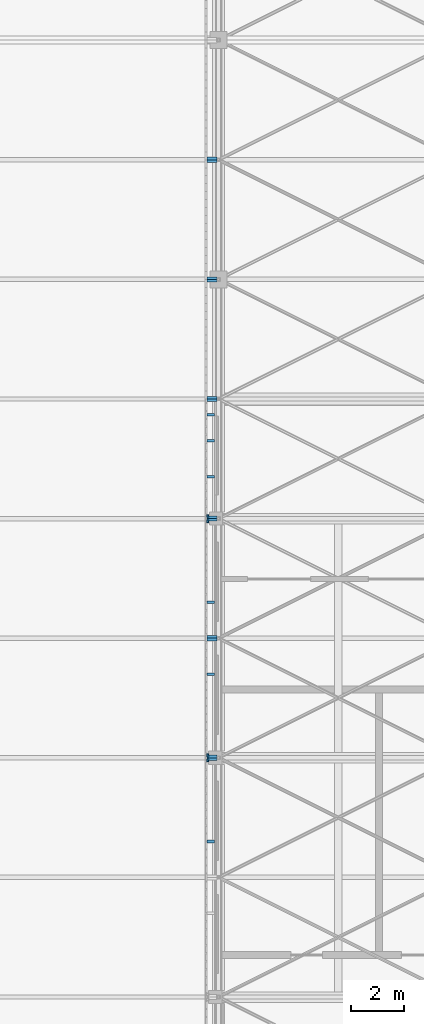
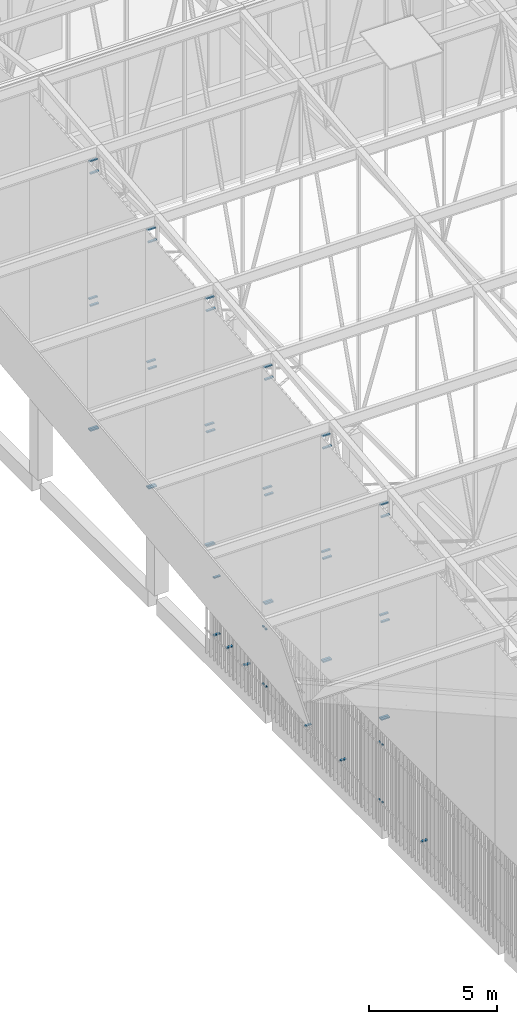
# One storey, part 442 of 500: 51 discrete accessories.
"""IFC4 building model written with IfcOpenShell, lengths in metres."""

from ifc_helpers import new_model, si_unit, direction, frame, origin, origin_2d, place, context, subcontext, project, spatial, rectangle, extrude, material, type_object, element, save


model = new_model("IFC4")

# Units and contexts
model_context = context("Model", 3, precision=1e-05, world=origin(), true_north=direction((0.0, 1.0)))
body_context = subcontext(model_context, "Body", "Model", "MODEL_VIEW")
ifc_project = project(units=[si_unit("LENGTHUNIT", "METRE"), si_unit("AREAUNIT", "SQUARE_METRE"), si_unit("VOLUMEUNIT", "CUBIC_METRE"), si_unit("PLANEANGLEUNIT", "RADIAN"), si_unit("MASSUNIT", "GRAM", prefix="KILO")], contexts=[model_context])

# Site, building, storey
site_placement = place(None, origin())
site = spatial("IfcSite", under=ifc_project, at=site_placement, CompositionType="ELEMENT")
building_placement = place(site_placement, origin())
building = spatial("IfcBuilding", under=site, at=building_placement, Name="Shirokan Park Arena", CompositionType="ELEMENT")
storey_placement = place(building_placement, frame((0.0, 0.0, 29.1201171875)))
storey = spatial("IfcBuildingStorey", under=building, at=storey_placement, Name="L06", CompositionType="ELEMENT", Elevation=29.1201171875)

# Discrete accessories
ifc_material = material(Name="Steel S355", Category="steel")
discrete_accessory_type = type_object("IfcDiscreteAccessoryType", Name="Veil bracket 100x60", PredefinedType="BRACKET", material=ifc_material)
discrete_accessory_1_placement = place(storey_placement, frame((-0.297607421875, 40.35009765625, 1.06982421875), z_axis=(0.0, 0.0, 1.0), x_axis=(0.0, -1.0, 0.0)))
element("IfcDiscreteAccessory", 1, at=discrete_accessory_1_placement, inside=storey, type_object=discrete_accessory_type, Name="Veil bracket west bay 8 L06 1", PredefinedType="BRACKET", context=body_context, shape_type="SweptSolid", body=[
    extrude(rectangle(XDim=0.10009765625, YDim=0.294921875, at=origin_2d()), origin(), (0.0, 0.0, 1.0), 0.06005859375),
])
discrete_accessory_2_placement = place(storey_placement, frame((-0.409912109375, 36.5, 1.06982421875), z_axis=(0.0, 0.0, 1.0), x_axis=(0.0, -1.0, 0.0)))
element("IfcDiscreteAccessory", 2, at=discrete_accessory_2_placement, inside=storey, type_object=discrete_accessory_type, Name="Veil bracket west bay 8 L06 2", PredefinedType="BRACKET", context=body_context, shape_type="SweptSolid", body=[
    extrude(rectangle(XDim=0.10009765625, YDim=0.070068359375, at=origin_2d()), origin(), (0.0, 0.0, 1.0), 0.06005859375),
])
discrete_accessory_3_placement = place(storey_placement, frame((-0.297607421875, 40.35009765625, 3.81982421875), z_axis=(0.0, 0.0, 1.0), x_axis=(0.0, -1.0, 0.0)))
element("IfcDiscreteAccessory", 3, at=discrete_accessory_3_placement, inside=storey, type_object=discrete_accessory_type, Name="Veil bracket west bay 8 L06 3", PredefinedType="BRACKET", context=body_context, shape_type="SweptSolid", body=[
    extrude(rectangle(XDim=0.10009765625, YDim=0.294921875, at=origin_2d()), origin(), (0.0, 0.0, 1.0), 0.06005859375),
])
discrete_accessory_4_placement = place(storey_placement, frame((-0.409912109375, 36.5, 3.81982421875), z_axis=(0.0, 0.0, 1.0), x_axis=(0.0, -1.0, 0.0)))
element("IfcDiscreteAccessory", 4, at=discrete_accessory_4_placement, inside=storey, type_object=discrete_accessory_type, Name="Veil bracket west bay 8 L06 4", PredefinedType="BRACKET", context=body_context, shape_type="SweptSolid", body=[
    extrude(rectangle(XDim=0.10009765625, YDim=0.070068359375, at=origin_2d()), origin(), (0.0, 0.0, 1.0), 0.06005859375),
])
for number, where, z_axis, x_axis, name in (
    (5, (-0.297607421875, 39.357421875, 1.06982421875), (0.0, 0.0, 1.0), (0.0, -1.0, 0.0), "Veil bracket west bay 8 L06 wall 1"),
    (6, (-0.297607421875, 37.992431640625, 1.06982421875), (0.0, 0.0, 1.0), (0.0, -1.0, 0.0), "Veil bracket west bay 8 L06 wall 2"),
):
    element("IfcDiscreteAccessory", number, at=place(storey_placement, frame(where, z_axis=z_axis, x_axis=x_axis)), inside=storey, type_object=discrete_accessory_type, Name=name, PredefinedType="BRACKET", context=body_context, shape_type="SweptSolid", body=[
        extrude(rectangle(XDim=0.10009765625, YDim=0.294921875, at=origin_2d()), origin(), (0.0, 0.0, 1.0), 0.06005859375),
    ])
for number, where, z_axis, x_axis, name in (
    (7, (-0.409912109375, 36.300048828125, 1.06982421875), (0.0, 0.0, 1.0), (0.0, -1.0, 0.0), "Veil bracket west bay 9 L06 1"),
    (8, (-0.409912109375, 27.39990234375, 1.06982421875), (0.0, 0.0, 1.0), (0.0, -1.0, 0.0), "Veil bracket west bay 9 L06 2"),
    (9, (-0.409912109375, 36.300048828125, 3.81982421875), (0.0, 0.0, 1.0), (0.0, -1.0, 0.0), "Veil bracket west bay 9 L06 3"),
    (10, (-0.409912109375, 27.39990234375, 3.81982421875), (0.0, 0.0, 1.0), (0.0, -1.0, 0.0), "Veil bracket west bay 9 L06 4"),
):
    element("IfcDiscreteAccessory", number, at=place(storey_placement, frame(where, z_axis=z_axis, x_axis=x_axis)), inside=storey, type_object=discrete_accessory_type, Name=name, PredefinedType="BRACKET", context=body_context, shape_type="SweptSolid", body=[
        extrude(rectangle(XDim=0.10009765625, YDim=0.070068359375, at=origin_2d()), origin(), (0.0, 0.0, 1.0), 0.06005859375),
    ])
for number, where, z_axis, x_axis, name in (
    (11, (-0.297607421875, 33.215087890625, 1.06982421875), (0.0, 0.0, 1.0), (0.0, -1.0, 0.0), "Veil bracket west bay 9 L06 wall 1"),
    (12, (-0.297607421875, 30.485107421875, 1.06982421875), (0.0, 0.0, 1.0), (0.0, -1.0, 0.0), "Veil bracket west bay 9 L06 wall 2"),
):
    element("IfcDiscreteAccessory", number, at=place(storey_placement, frame(where, z_axis=z_axis, x_axis=x_axis)), inside=storey, type_object=discrete_accessory_type, Name=name, PredefinedType="BRACKET", context=body_context, shape_type="SweptSolid", body=[
        extrude(rectangle(XDim=0.10009765625, YDim=0.294921875, at=origin_2d()), origin(), (0.0, 0.0, 1.0), 0.06005859375),
    ])
for number, where, z_axis, x_axis, name in (
    (13, (-0.409912109375, 27.199951171875, 1.06982421875), (0.0, 0.0, 1.0), (0.0, -1.0, 0.0), "Veil bracket west bay 10 L06 1"),
    (14, (-0.409912109375, 27.199951171875, 3.81982421875), (0.0, 0.0, 1.0), (0.0, -1.0, 0.0), "Veil bracket west bay 10 L06 3"),
):
    element("IfcDiscreteAccessory", number, at=place(storey_placement, frame(where, z_axis=z_axis, x_axis=x_axis)), inside=storey, type_object=discrete_accessory_type, Name=name, PredefinedType="BRACKET", context=body_context, shape_type="SweptSolid", body=[
        extrude(rectangle(XDim=0.10009765625, YDim=0.070068359375, at=origin_2d()), origin(), (0.0, 0.0, 1.0), 0.06005859375),
    ])
discrete_accessory_5_placement = place(storey_placement, frame((-0.297607421875, 24.114990234375, 1.06982421875), z_axis=(0.0, 0.0, 1.0), x_axis=(0.0, -1.0, 0.0)))
element("IfcDiscreteAccessory", 15, at=discrete_accessory_5_placement, inside=storey, type_object=discrete_accessory_type, Name="Veil bracket west bay 10 L06 wall 1", PredefinedType="BRACKET", context=body_context, shape_type="SweptSolid", body=[
    extrude(rectangle(XDim=0.10009765625, YDim=0.294921875, at=origin_2d()), origin(), (0.0, 0.0, 1.0), 0.06005859375),
])
for number, where, z_axis, x_axis, name in (
    (16, (-0.254150390625, 27.25, 4.995849609375), (0.0, 0.0, 1.0), (1.0, 0.0, 0.0), "Veil bracket gable band west bay 8 4"),
    (17, (-0.254150390625, 27.25, 9.65380859375), (0.0, 0.0, 1.0), (1.0, 0.0, 0.0), "Veil bracket gable band west bay 8 5"),
    (18, (-0.254150390625, 27.25, 14.661865234375), (0.0, 0.0, 1.0), (1.0, 0.0, 0.0), "Veil bracket gable band west bay 8 6"),
    (19, (-0.254150390625, 27.35009765625, 4.995849609375), (0.0, 0.0, 1.0), (1.0, 0.0, 0.0), "Veil bracket gable band west bay 9 1"),
    (20, (-0.254150390625, 27.35009765625, 9.913818359375), (0.0, 0.0, 1.0), (1.0, 0.0, 0.0), "Veil bracket gable band west bay 9 2"),
    (21, (-0.254150390625, 27.35009765625, 15.181884765625), (0.0, 0.0, 1.0), (1.0, 0.0, 0.0), "Veil bracket gable band west bay 9 3"),
):
    element("IfcDiscreteAccessory", number, at=place(storey_placement, frame(where, z_axis=z_axis, x_axis=x_axis)), inside=storey, type_object=discrete_accessory_type, Name=name, PredefinedType="BRACKET", context=body_context, shape_type="SweptSolid", body=[
        extrude(rectangle(XDim=0.381591796875, YDim=0.10009765625, at=origin_2d()), origin(), (0.0, 0.0, 1.0), 0.06005859375),
    ])
for number, where, z_axis, x_axis, name in (
    (22, (-0.2509765625, 31.800048828125, 4.995849609375), (0.0, 0.0, 1.0), (1.0, 0.0, 0.0), "Veil bracket gable band west bay 9 4"),
    (23, (-0.2509765625, 31.800048828125, 9.913818359375), (0.0, 0.0, 1.0), (1.0, 0.0, 0.0), "Veil bracket gable band west bay 9 5"),
    (24, (-0.2509765625, 31.800048828125, 15.181884765625), (0.0, 0.0, 1.0), (1.0, 0.0, 0.0), "Veil bracket gable band west bay 9 6"),
    (25, (-0.2509765625, 31.89990234375, 4.995849609375), (0.0, 0.0, 1.0), (1.0, 0.0, 0.0), "Veil bracket gable band west bay 10 1"),
    (26, (-0.2509765625, 31.89990234375, 10.173828125), (0.0, 0.0, 1.0), (1.0, 0.0, 0.0), "Veil bracket gable band west bay 10 2"),
    (27, (-0.2509765625, 31.89990234375, 15.701904296875), (0.0, 0.0, 1.0), (1.0, 0.0, 0.0), "Veil bracket gable band west bay 10 3"),
):
    element("IfcDiscreteAccessory", number, at=place(storey_placement, frame(where, z_axis=z_axis, x_axis=x_axis)), inside=storey, type_object=discrete_accessory_type, Name=name, PredefinedType="BRACKET", context=body_context, shape_type="SweptSolid", body=[
        extrude(rectangle(XDim=0.387939453125, YDim=0.10009765625, at=origin_2d()), origin(), (0.0, 0.0, 1.0), 0.06005859375),
    ])
for number, where, z_axis, x_axis, name in (
    (28, (-0.254150390625, 36.35009765625, 4.995849609375), (0.0, 0.0, 1.0), (1.0, 0.0, 0.0), "Veil bracket gable band west bay 10 4"),
    (29, (-0.254150390625, 36.35009765625, 10.173828125), (0.0, 0.0, 1.0), (1.0, 0.0, 0.0), "Veil bracket gable band west bay 10 5"),
    (30, (-0.254150390625, 36.35009765625, 15.701904296875), (0.0, 0.0, 1.0), (1.0, 0.0, 0.0), "Veil bracket gable band west bay 10 6"),
    (31, (-0.254150390625, 36.449951171875, 4.995849609375), (0.0, 0.0, 1.0), (1.0, 0.0, 0.0), "Veil bracket gable band west bay 11 1"),
    (32, (-0.254150390625, 36.449951171875, 10.433837890625), (0.0, 0.0, 1.0), (1.0, 0.0, 0.0), "Veil bracket gable band west bay 11 2"),
    (33, (-0.254150390625, 36.449951171875, 16.221923828125), (0.0, 0.0, 1.0), (1.0, 0.0, 0.0), "Veil bracket gable band west bay 11 3"),
):
    element("IfcDiscreteAccessory", number, at=place(storey_placement, frame(where, z_axis=z_axis, x_axis=x_axis)), inside=storey, type_object=discrete_accessory_type, Name=name, PredefinedType="BRACKET", context=body_context, shape_type="SweptSolid", body=[
        extrude(rectangle(XDim=0.381591796875, YDim=0.10009765625, at=origin_2d()), origin(), (0.0, 0.0, 1.0), 0.06005859375),
    ])
for number, where, z_axis, x_axis, name in (
    (34, (-0.2509765625, 40.89990234375, 4.995849609375), (0.0, 0.0, 1.0), (1.0, 0.0, 0.0), "Veil bracket gable band west bay 11 4"),
    (35, (-0.2509765625, 40.89990234375, 10.433837890625), (0.0, 0.0, 1.0), (1.0, 0.0, 0.0), "Veil bracket gable band west bay 11 5"),
    (36, (-0.2509765625, 40.89990234375, 16.221923828125), (0.0, 0.0, 1.0), (1.0, 0.0, 0.0), "Veil bracket gable band west bay 11 6"),
    (37, (-0.2509765625, 41.0, 4.995849609375), (0.0, 0.0, 1.0), (1.0, 0.0, 0.0), "Veil bracket gable band west bay 12 1"),
    (38, (-0.2509765625, 41.0, 10.69384765625), (0.0, 0.0, 1.0), (1.0, 0.0, 0.0), "Veil bracket gable band west bay 12 2"),
    (39, (-0.2509765625, 41.0, 16.741943359375), (0.0, 0.0, 1.0), (1.0, 0.0, 0.0), "Veil bracket gable band west bay 12 3"),
):
    element("IfcDiscreteAccessory", number, at=place(storey_placement, frame(where, z_axis=z_axis, x_axis=x_axis)), inside=storey, type_object=discrete_accessory_type, Name=name, PredefinedType="BRACKET", context=body_context, shape_type="SweptSolid", body=[
        extrude(rectangle(XDim=0.387939453125, YDim=0.10009765625, at=origin_2d()), origin(), (0.0, 0.0, 1.0), 0.06005859375),
    ])
for number, where, z_axis, x_axis, name in (
    (40, (-0.254150390625, 45.449951171875, 4.995849609375), (0.0, 0.0, 1.0), (1.0, 0.0, 0.0), "Veil bracket gable band west bay 12 4"),
    (41, (-0.254150390625, 45.449951171875, 10.69384765625), (0.0, 0.0, 1.0), (1.0, 0.0, 0.0), "Veil bracket gable band west bay 12 5"),
    (42, (-0.254150390625, 45.449951171875, 16.741943359375), (0.0, 0.0, 1.0), (1.0, 0.0, 0.0), "Veil bracket gable band west bay 12 6"),
    (43, (-0.254150390625, 45.550048828125, 4.995849609375), (0.0, 0.0, 1.0), (1.0, 0.0, 0.0), "Veil bracket gable band west bay 13 1"),
    (44, (-0.254150390625, 45.550048828125, 10.953857421875), (0.0, 0.0, 1.0), (1.0, 0.0, 0.0), "Veil bracket gable band west bay 13 2"),
    (45, (-0.254150390625, 45.550048828125, 17.261962890625), (0.0, 0.0, 1.0), (1.0, 0.0, 0.0), "Veil bracket gable band west bay 13 3"),
):
    element("IfcDiscreteAccessory", number, at=place(storey_placement, frame(where, z_axis=z_axis, x_axis=x_axis)), inside=storey, type_object=discrete_accessory_type, Name=name, PredefinedType="BRACKET", context=body_context, shape_type="SweptSolid", body=[
        extrude(rectangle(XDim=0.381591796875, YDim=0.10009765625, at=origin_2d()), origin(), (0.0, 0.0, 1.0), 0.06005859375),
    ])
for number, where, z_axis, x_axis, name in (
    (46, (-0.2509765625, 50.0, 4.995849609375), (0.0, 0.0, 1.0), (1.0, 0.0, 0.0), "Veil bracket gable band west bay 13 4"),
    (47, (-0.2509765625, 50.0, 10.953857421875), (0.0, 0.0, 1.0), (1.0, 0.0, 0.0), "Veil bracket gable band west bay 13 5"),
    (48, (-0.2509765625, 50.0, 17.261962890625), (0.0, 0.0, 1.0), (1.0, 0.0, 0.0), "Veil bracket gable band west bay 13 6"),
    (49, (-0.2509765625, 50.10009765625, 4.995849609375), (0.0, 0.0, 1.0), (1.0, 0.0, 0.0), "Veil bracket gable band west bay 14 1"),
    (50, (-0.2509765625, 50.10009765625, 11.2138671875), (0.0, 0.0, 1.0), (1.0, 0.0, 0.0), "Veil bracket gable band west bay 14 2"),
    (51, (-0.2509765625, 50.10009765625, 17.78173828125), (0.0, 0.0, 1.0), (1.0, 0.0, 0.0), "Veil bracket gable band west bay 14 3"),
):
    element("IfcDiscreteAccessory", number, at=place(storey_placement, frame(where, z_axis=z_axis, x_axis=x_axis)), inside=storey, type_object=discrete_accessory_type, Name=name, PredefinedType="BRACKET", context=body_context, shape_type="SweptSolid", body=[
        extrude(rectangle(XDim=0.387939453125, YDim=0.10009765625, at=origin_2d()), origin(), (0.0, 0.0, 1.0), 0.06005859375),
    ])

save(model, "model.ifc")
